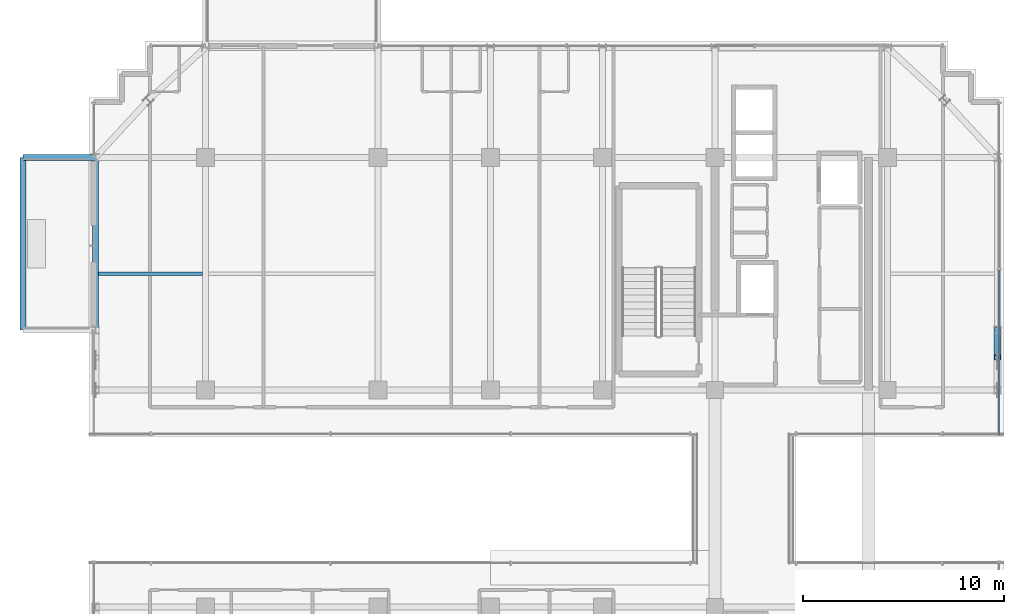
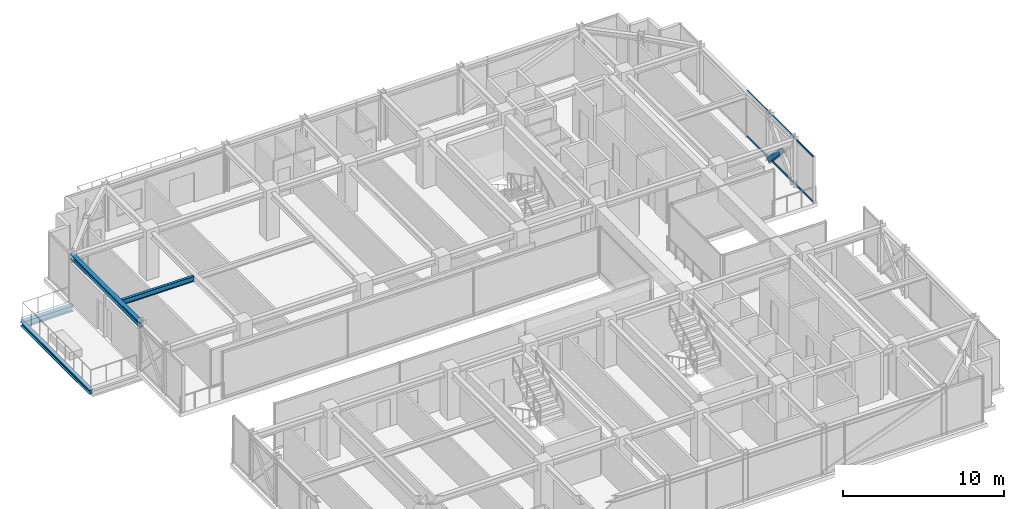
# One storey, part 23 of 41: 4 beams, 3 members, 1 element without a shape of its own.
"""IFC4 building model written with IfcOpenShell, lengths in metres."""

from ifc_helpers import new_model, si_unit, direction, frame, origin, origin_2d, place, context, subcontext, project, spatial, hollow_rectangle, i_section, extrude, source, transform, mapped, material, material_profile, profile_set, type_object, element, aggregate, save


model = new_model("IFC4")

# Units and contexts
model_context = context("Model", 3, precision=1e-05, world=origin(), true_north=direction((0.0, 1.0)))
body_context = subcontext(model_context, "Body", "Model", "MODEL_VIEW")
ifc_project = project(units=[si_unit("LENGTHUNIT", "METRE"), si_unit("AREAUNIT", "SQUARE_METRE"), si_unit("VOLUMEUNIT", "CUBIC_METRE"), si_unit("PLANEANGLEUNIT", "RADIAN"), si_unit("MASSUNIT", "GRAM", prefix="KILO")], contexts=[model_context])

# Site, building, storey
site_placement = place(None, origin())
site = spatial("IfcSite", under=ifc_project, at=site_placement, CompositionType="ELEMENT")
building_placement = place(site_placement, origin())
building = spatial("IfcBuilding", under=site, at=building_placement, Name="Nahalor Promenade Grand Hotel", CompositionType="ELEMENT")
storey_placement = place(building_placement, frame((0.0, 0.0, 304.199951171875)))
storey = spatial("IfcBuildingStorey", under=building, at=storey_placement, Name="L78", CompositionType="ELEMENT", Elevation=304.199951171875)

# Beams
ifc_material_1 = material(Name="Steel S355JR", Category="steel")
ifc_material_profile_1 = material_profile(ifc_material_1, i_section(OverallWidth=0.3, OverallDepth=0.32, WebThickness=0.0115, FlangeThickness=0.0205, at=origin_2d()), Name="HEB 320")
ifc_profile_set_1 = profile_set([ifc_material_profile_1], Name="Steel S355JR")
beam_type_1 = type_object("IfcBeamType", Name="Beam-BalcEdge-HEB320", PredefinedType="SPANDREL", material=ifc_profile_set_1)
shared_shape_1 = source(origin(), body_context, "Body", "SweptSolid", [
    extrude(i_section(OverallWidth=0.3, OverallDepth=0.32, WebThickness=0.0115, FlangeThickness=0.0205, at=origin_2d()), origin(), (0.0, 0.0, 1.0), 8.60009765625),
])
beam_1_placement = place(storey_placement, frame((-26.090087890625, 8.39990234375, -0.43994140625), z_axis=(0.0, 1.0, 0.0), x_axis=(-1.0, 0.0, 0.0)))
element("IfcBeam", 1, at=beam_1_placement, inside=storey, type_object=beam_type_1, Name="BM-L78-BC-02-F", PredefinedType="SPANDREL", context=body_context, shape_type="MappedRepresentation", body=[
    mapped(shared_shape_1, transform((0.0, 0.0, 0.0), scale=1.0)),
])
ifc_material_profile_2 = material_profile(ifc_material_1, i_section(OverallWidth=0.3, OverallDepth=0.45, WebThickness=0.014, FlangeThickness=0.026, at=origin_2d()), Name="HEB 450")
ifc_profile_set_2 = profile_set([ifc_material_profile_2], Name="Steel S355JR")
beam_type_2 = type_object("IfcBeamType", Name="Beam-Outrigger-HEB450", PredefinedType="BEAM", material=ifc_profile_set_2)
shared_shape_2 = source(origin(), body_context, "Body", "SweptSolid", [
    extrude(i_section(OverallWidth=0.3, OverallDepth=0.45, WebThickness=0.014, FlangeThickness=0.026, at=origin_2d()), origin(), (0.0, 0.0, 1.0), 3.610107421875),
])
beam_2_placement = place(storey_placement, frame((-26.090087890625, 17.0, -0.5048828125), z_axis=(1.0, 0.0, 0.0), x_axis=(0.0, 1.0, 0.0)))
element("IfcBeam", 2, at=beam_2_placement, inside=storey, type_object=beam_type_2, Name="BM-L78-BC-02-2", PredefinedType="BEAM", context=body_context, shape_type="MappedRepresentation", body=[
    mapped(shared_shape_2, transform((0.0, 0.0, 0.0), scale=1.0)),
])
ifc_material_profile_3 = material_profile(ifc_material_1, i_section(OverallWidth=0.18, OverallDepth=0.4, WebThickness=0.0086, FlangeThickness=0.0135, at=origin_2d()), Name="IPE 400")
ifc_profile_set_3 = profile_set([ifc_material_profile_3], Name="Steel S355JR")
beam_type_3 = type_object("IfcBeamType", Name="Beam-Joist-IPE400", PredefinedType="JOIST", material=ifc_profile_set_3)
shared_shape_3 = source(origin(), body_context, "Body", "SweptSolid", [
    extrude(i_section(OverallWidth=0.18, OverallDepth=0.4, WebThickness=0.0086, FlangeThickness=0.0135, at=origin_2d()), origin(), (0.0, 0.0, 1.0), 5.18017578125),
])
beam_3_placement = place(storey_placement, frame((-22.330078125, 11.199951171875, 3.35009765625), z_axis=(1.0, 0.0, 0.0), x_axis=(0.0, 1.0, 0.0)))
element("IfcBeam", 3, at=beam_3_placement, inside=storey, type_object=beam_type_3, Name="BM-L78-JSW-1-0", PredefinedType="JOIST", context=body_context, shape_type="MappedRepresentation", body=[
    mapped(shared_shape_3, transform((0.0, 0.0, 0.0), scale=1.0)),
])
ifc_material_profile_4 = material_profile(ifc_material_1, i_section(OverallWidth=0.3, OverallDepth=0.36, WebThickness=0.0125, FlangeThickness=0.0225, at=origin_2d()), Name="HEB 360")
ifc_profile_set_4 = profile_set([ifc_material_profile_4], Name="Steel S355JR")
beam_type_4 = type_object("IfcBeamType", Name="Beam-Spandrel-HEB360", PredefinedType="SPANDREL", material=ifc_profile_set_4)
shared_shape_4 = source(origin(), body_context, "Body", "SweptSolid", [
    extrude(i_section(OverallWidth=0.3, OverallDepth=0.36, WebThickness=0.0125, FlangeThickness=0.0225, at=origin_2d()), origin(), (0.0, 0.0, 1.0), 8.60009765625),
])
beam_4_placement = place(storey_placement, frame((-22.47998046875, 8.39990234375, 3.3701171875), z_axis=(0.0, 1.0, 0.0), x_axis=(-1.0, 0.0, 0.0)))
element("IfcBeam", 4, at=beam_4_placement, inside=storey, type_object=beam_type_4, Name="BM-L78-SP-W-4", PredefinedType="SPANDREL", context=body_context, shape_type="MappedRepresentation", body=[
    mapped(shared_shape_4, transform((0.0, 0.0, 0.0), scale=1.0)),
])

# Member
ifc_material_profile_5 = material_profile(ifc_material_1, hollow_rectangle(XDim=0.35, YDim=0.35, WallThickness=0.02, at=origin_2d()), Name="SHS 350x350x20")
ifc_profile_set_5 = profile_set([ifc_material_profile_5], Name="Steel S355JR")
member_type_1 = type_object("IfcMemberType", Name="Mem-VoidBrace-SHS350", PredefinedType="BRACE", material=ifc_profile_set_5)
shared_shape_5 = source(origin(), body_context, "Body", "SweptSolid", [
    extrude(hollow_rectangle(XDim=0.35, YDim=0.35, WallThickness=0.02, at=origin_2d()), origin(), (0.0, 0.0, 1.0), 2.02392578125),
])
member_1_placement = place(storey_placement, frame((22.47998046875, 8.39990234375, 0.150146484375), z_axis=(0.0, -0.678315173958, 0.734771069639), x_axis=(1.0, 0.0, 0.0)))
element("IfcMember", 5, at=member_1_placement, inside=storey, type_object=member_type_1, Name="EXO-L78-VX2-E1A", PredefinedType="BRACE", context=body_context, shape_type="MappedRepresentation", body=[
    mapped(shared_shape_5, transform((0.0, 0.0, 0.0), scale=1.0)),
])

# Curtain wall, members
ifc_material_2 = material(Name="Anodised Bronze Aluminium EN AW-6063 T6", Category="aluminium")
curtain_wall_type = type_object("IfcCurtainWallType", Name="CW3 Elliptical-Void Collar Unitised Curtain Wall", PredefinedType="USERDEFINED", material=ifc_material_2)
curtain_wall_placement = place(storey_placement, origin())
curtain_wall = element("IfcCurtainWall", 6, at=curtain_wall_placement, inside=storey, type_object=curtain_wall_type, Name="L78 Curtain Wall CW-L78-E-2", ObjectType="UNITISED_CURTAIN_WALL", PredefinedType="USERDEFINED")
ifc_material_profile_6 = material_profile(ifc_material_2, hollow_rectangle(XDim=0.07, YDim=0.14, WallThickness=0.004, at=origin_2d()), Name="CWT 70x140x4")
ifc_profile_set_6 = profile_set([ifc_material_profile_6], Name="Anodised Bronze Aluminium EN AW-6063 T6")
member_type_2 = type_object("IfcMemberType", Name="CWT3 Void Collar Transom 70x140", PredefinedType="USERDEFINED", material=ifc_profile_set_6)
shared_shape_6 = source(origin(), body_context, "Body", "SweptSolid", [
    extrude(hollow_rectangle(XDim=0.07, YDim=0.14, WallThickness=0.004, at=origin_2d()), origin(), (0.0, 0.0, 1.0), 8.22509765625),
])
member_2_placement = place(storey_placement, frame((22.56005859375, 3.169921875, 0.070068359375), z_axis=(0.0, 1.0, 0.0), x_axis=(-1.0, 0.0, 0.0)))
member_2 = element("IfcMember", 7, at=member_2_placement, type_object=member_type_2, Name="CW-L78-E-2 Transom 0-0", ObjectType="TRANSOM", PredefinedType="USERDEFINED", context=body_context, shape_type="MappedRepresentation", body=[
    mapped(shared_shape_6, transform((0.0, 0.0, 0.0), scale=1.0)),
])
member_3_placement = place(storey_placement, frame((22.56005859375, 3.169921875, 3.47998046875), z_axis=(0.0, 1.0, 0.0), x_axis=(-1.0, 0.0, 0.0)))
member_3 = element("IfcMember", 8, at=member_3_placement, type_object=member_type_2, Name="CW-L78-E-2 Transom 0-1", ObjectType="TRANSOM", PredefinedType="USERDEFINED", context=body_context, shape_type="MappedRepresentation", body=[
    mapped(shared_shape_6, transform((0.0, 0.0, 0.0), scale=1.0)),
])
aggregate(curtain_wall, [member_2, member_3])

save(model, "model.ifc")
